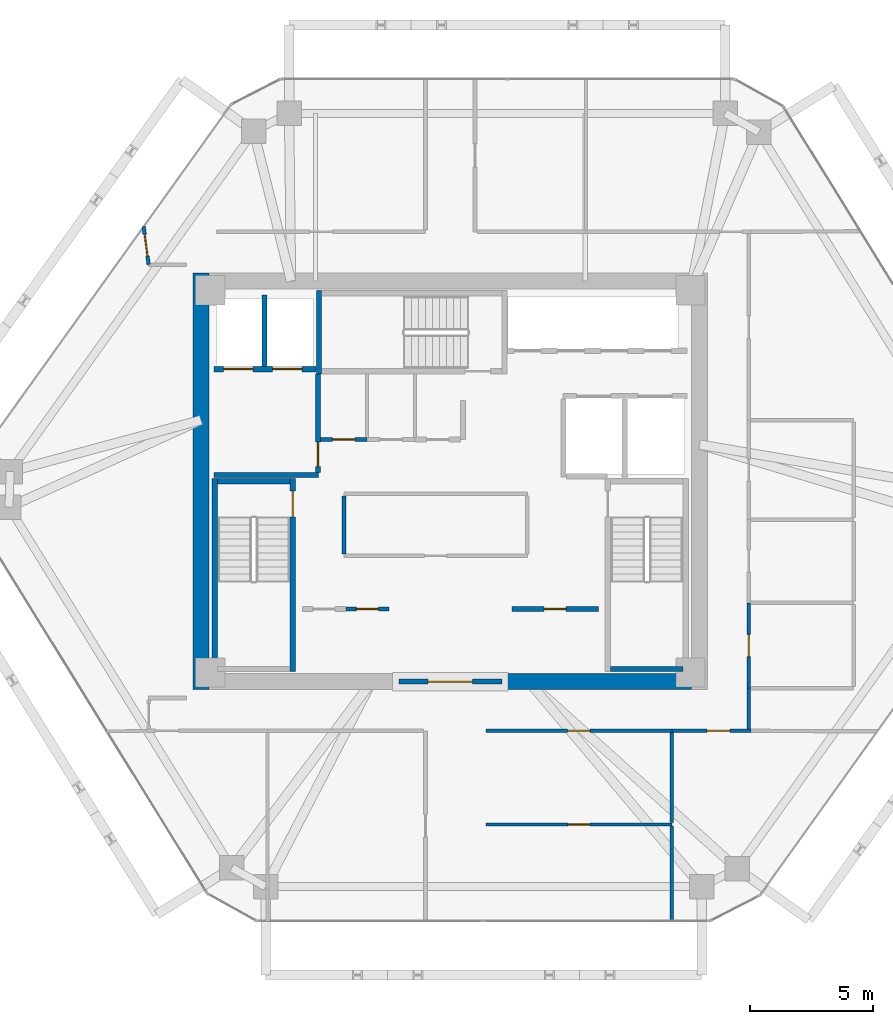
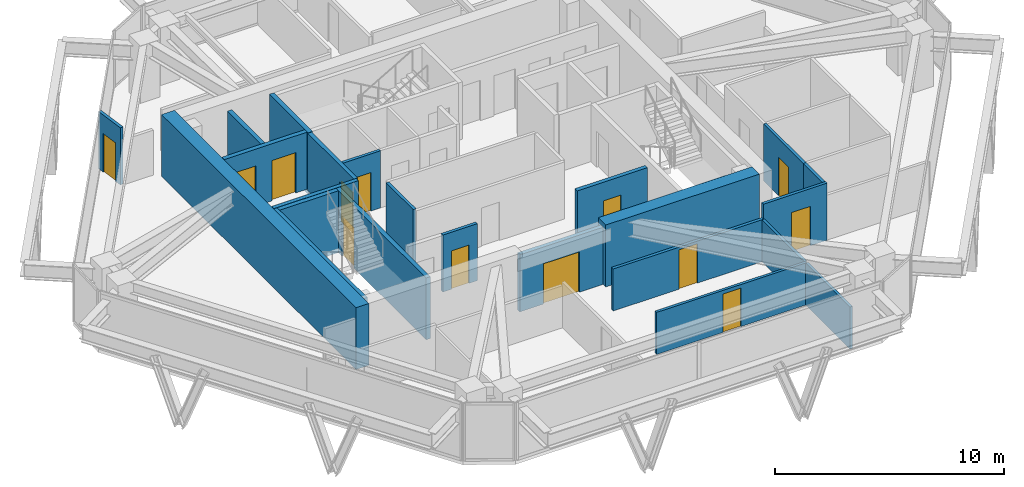
# One storey, part 8 of 11: 24 walls, 13 doors, 13 openings.
"""IFC4 building model written with IfcOpenShell, lengths in metres."""

import ifcopenshell
import ifcopenshell.guid

model = None  # the IFC model being written
_history = None  # IfcOwnerHistory: only IFC2X3 demands one
_inside = {}  # id of a spatial element -> (the spatial element, [elements in it])
_under = {}  # id of a project, library or spatial element -> (it, [spatial elements below it])
_declared = {}  # id of a project -> (the project, [libraries it declares])
_typed = {}  # id of a type object -> (the type object, [elements of that type])
_made_of = {}  # id of a material, layer set ... -> (it, [elements and type objects made of it])


def new_model(schema):
    """Start an empty IFC model of exactly this schema.

    Asked for "IFC4X3", IfcOpenShell would pick the latest addendum, in which some entities
    have other attributes; the version numbers below select the first issue.
    IFC2X3 requires an IfcOwnerHistory on every rooted entity: one is made here for all.
    """
    global model, _history
    if schema == "IFC4X3":
        model = ifcopenshell.file(schema_version=(4, 3, 0, 0))
    else:
        model = ifcopenshell.file(schema=schema)
    _inside.clear()
    _under.clear()
    _declared.clear()
    _typed.clear()
    _made_of.clear()
    _history = None
    if model.schema == "IFC2X3":
        org = make("IfcOrganization", Name="unknown")
        user = make(
            "IfcPersonAndOrganization",
            ThePerson=make("IfcPerson", FamilyName="unknown"),
            TheOrganization=org,
        )
        app = make(
            "IfcApplication",
            ApplicationDeveloper=org,
            Version="unknown",
            ApplicationFullName="unknown",
            ApplicationIdentifier="unknown",
        )
        _history = make(
            "IfcOwnerHistory",
            OwningUser=user,
            OwningApplication=app,
            ChangeAction="ADDED",
            CreationDate=0,
        )
    return model


def make(cls, **values):
    """One entity of the class cls with the attributes given. An attribute that is None is left unset."""
    return model.create_entity(
        cls, **{name: value for name, value in values.items() if value is not None}
    )


def rooted(cls, **values):
    """An entity with a GlobalId (a new one), such as an element, a storey or a relation."""
    return make(cls, GlobalId=ifcopenshell.guid.new(), OwnerHistory=_history, **values)


def si_unit(unit_type, name, prefix=None):
    """IfcSIUnit, for example si_unit("LENGTHUNIT", "METRE", prefix="MILLI")."""
    return make("IfcSIUnit", UnitType=unit_type, Prefix=prefix, Name=name)


def assignment(units):
    """IfcUnitAssignment: the units of a project."""
    return None if units is None else make("IfcUnitAssignment", Units=units)


def point(xyz):
    """IfcCartesianPoint."""
    return None if xyz is None else make("IfcCartesianPoint", Coordinates=xyz)


def direction(xyz):
    """IfcDirection."""
    return None if xyz is None else make("IfcDirection", DirectionRatios=xyz)


def frame(location, z_axis=None, x_axis=None):
    """IfcAxis2Placement3D, a coordinate frame: its origin and axes. An axis left out is left unset."""
    return make(
        "IfcAxis2Placement3D",
        Location=point(location),
        Axis=direction(z_axis),
        RefDirection=direction(x_axis),
    )


def frame_2d(location, x_axis=None):
    """IfcAxis2Placement2D, a coordinate frame in the plane: its origin and x axis."""
    return make(
        "IfcAxis2Placement2D", Location=point(location), RefDirection=direction(x_axis)
    )


def origin():
    """The frame at (0, 0, 0) with its axes left unset."""
    return frame((0.0, 0.0, 0.0))


def place(relative_to, where):
    """IfcLocalPlacement: puts the frame where relative to a parent placement (None: the world)."""
    return make(
        "IfcLocalPlacement", PlacementRelTo=relative_to, RelativePlacement=where
    )


def context(
    kind, dimensions, precision=None, world=None, true_north=None, identifier=None
):
    """IfcGeometricRepresentationContext, for example the 3D "Model" context."""
    return make(
        "IfcGeometricRepresentationContext",
        ContextIdentifier=identifier,
        ContextType=kind,
        CoordinateSpaceDimension=dimensions,
        Precision=precision,
        WorldCoordinateSystem=world,
        TrueNorth=true_north,
    )


def subcontext(parent, identifier, kind, view, scale=None):
    """IfcGeometricRepresentationSubContext, for example "Body" below "Model"."""
    return make(
        "IfcGeometricRepresentationSubContext",
        ContextIdentifier=identifier,
        ContextType=kind,
        ParentContext=parent,
        TargetScale=scale,
        TargetView=view,
    )


def project(units=None, contexts=None):
    """IfcProject with its units and contexts."""
    return rooted(
        "IfcProject",
        Name="project",
        RepresentationContexts=contexts,
        UnitsInContext=assignment(units),
    )


def spatial(cls, under=None, at=None, **own):
    """A site, building, storey or space (cls), placed at a placement, below another one or the project."""
    s = rooted(cls, ObjectPlacement=at, **own)
    if under is not None:
        _under.setdefault(under.id(), (under, []))[1].append(s)
    return s


def profile(cls, at=None, kind="AREA", **sizes):
    """A parametric profile (cls). Its sizes go by their IFC names, for example OverallWidth=200.0."""
    return make(cls, ProfileType=kind, Position=at, **sizes)


def rectangle(**sizes):
    """IfcRectangleProfileDef."""
    return profile("IfcRectangleProfileDef", **sizes)


def extrude(swept, where, along, depth):
    """IfcExtrudedAreaSolid: the profile swept, set in the frame where, extruded along a direction by depth."""
    return make(
        "IfcExtrudedAreaSolid",
        SweptArea=swept,
        Position=where,
        ExtrudedDirection=direction(along),
        Depth=depth,
    )


def shape(context_of_items, identifier, shape_type, items):
    """IfcShapeRepresentation: the items that make up one representation, for example the "Body"."""
    return make(
        "IfcShapeRepresentation",
        ContextOfItems=context_of_items,
        RepresentationIdentifier=identifier,
        RepresentationType=shape_type,
        Items=items,
    )


def source(mapping_origin, context_of_items, identifier, shape_type, items):
    """IfcRepresentationMap: a shape defined once, which mapped items show again and again."""
    return make(
        "IfcRepresentationMap",
        MappingOrigin=mapping_origin,
        MappedRepresentation=shape(context_of_items, identifier, shape_type, items),
    )


def transform(
    local_origin,
    x_axis=None,
    y_axis=None,
    z_axis=None,
    scale=None,
    scale2=None,
    scale3=None,
    uniform=True,
):
    """IfcCartesianTransformationOperator3D, or its non-uniform kind. x_axis, y_axis, z_axis: its Axis1, 2, 3."""
    if uniform:
        return make(
            "IfcCartesianTransformationOperator3D",
            Axis1=direction(x_axis),
            Axis2=direction(y_axis),
            LocalOrigin=point(local_origin),
            Scale=scale,
            Axis3=direction(z_axis),
        )
    return make(
        "IfcCartesianTransformationOperator3DnonUniform",
        Axis1=direction(x_axis),
        Axis2=direction(y_axis),
        LocalOrigin=point(local_origin),
        Scale=scale,
        Axis3=direction(z_axis),
        Scale2=scale2,
        Scale3=scale3,
    )


def mapped(mapping_source, mapping_target):
    """IfcMappedItem: shows the shape of a source again, moved by a transform."""
    return make(
        "IfcMappedItem", MappingSource=mapping_source, MappingTarget=mapping_target
    )


def material(Name=None, Category=None):
    """IfcMaterial."""
    return make("IfcMaterial", Name=Name, Category=Category)


def layer(
    of_material, thickness, ventilated=None, Name=None, Category=None, Priority=None
):
    """IfcMaterialLayer: one layer of a wall or slab, of a material (None: an air gap)."""
    return make(
        "IfcMaterialLayer",
        Material=of_material,
        LayerThickness=thickness,
        IsVentilated=ventilated,
        Name=Name,
        Category=Category,
        Priority=Priority,
    )


def layer_set(layers, Name=None):
    """IfcMaterialLayerSet."""
    return make("IfcMaterialLayerSet", MaterialLayers=layers, LayerSetName=Name)


def made_of(thing, what):
    """Note that an element or type object is made of a material, layer set ...; save() writes the relation."""
    if what is not None:
        _made_of.setdefault(what.id(), (what, []))[1].append(thing)
    return thing


def type_object(cls, material=None, **own):
    """A type object (cls), such as IfcWallType, which elements share."""
    return made_of(rooted(cls, **own), material)


def type_shapes(of_type, sources):
    """Give a type object the sources (RepresentationMaps) that its elements show as mapped items."""
    of_type.RepresentationMaps = sources


def element(
    cls,
    number,
    at=None,
    inside=None,
    cuts=None,
    type_object=None,
    material=None,
    context=None,
    identifier="Body",
    shape_type=None,
    held_by="IfcProductDefinitionShape",
    body=None,
    shapes=None,
    **own,
):
    """One element of the class cls, such as IfcWall. Its Tag is "e" and its number.

    at: its placement. inside: the storey or other place that contains it. cuts: it is an
    opening in that element (IfcRelVoidsElement). A single representation is given by context,
    identifier, shape_type and body (its items); several are given by shapes. held_by: the class
    of the entity that holds the representations. save() writes the other relations.
    """
    e = rooted(cls, Tag="e%d" % number, ObjectPlacement=at, **own)
    if body is not None:
        shapes = [shape(context, identifier, shape_type, body)]
    if shapes is not None:
        e.Representation = make(held_by, Representations=shapes)
    if inside is not None:
        _inside.setdefault(inside.id(), (inside, []))[1].append(e)
    if cuts is not None:
        rooted(
            "IfcRelVoidsElement", RelatingBuildingElement=cuts, RelatedOpeningElement=e
        )
    if type_object is not None:
        _typed.setdefault(type_object.id(), (type_object, []))[1].append(e)
    return made_of(e, material)


def fill(opening, filler):
    """IfcRelFillsElement: the door or window that sits in an opening."""
    return rooted(
        "IfcRelFillsElement",
        RelatingOpeningElement=opening,
        RelatedBuildingElement=filler,
    )


def aggregate(whole, parts):
    """IfcRelAggregates: a whole, such as a stair, and the parts it consists of."""
    return rooted("IfcRelAggregates", RelatingObject=whole, RelatedObjects=parts)


def save(model, path):
    """Write the relations noted so far, then the file.

    IfcRelAggregates (storeys below a building ...), IfcRelContainedInSpatialStructure (elements
    in a storey), IfcRelDefinesByType, IfcRelAssociatesMaterial and IfcRelDeclares: one each for
    every whole, place, type object, material and project.
    """
    for whole, parts in _under.values():
        aggregate(whole, parts)
    for where, things in _inside.values():
        rooted(
            "IfcRelContainedInSpatialStructure",
            RelatedElements=things,
            RelatingStructure=where,
        )
    for kind, things in _typed.values():
        rooted("IfcRelDefinesByType", RelatedObjects=things, RelatingType=kind)
    for what, things in _made_of.values():
        rooted("IfcRelAssociatesMaterial", RelatedObjects=things, RelatingMaterial=what)
    for by, libraries in _declared.values():
        rooted("IfcRelDeclares", RelatingContext=by, RelatedDefinitions=libraries)
    model.write(path)


model = new_model("IFC4")

# Units and contexts
model_context = context("Model", 3, precision=1e-05, world=origin(), true_north=direction((0.0, 1.0)))
body_context = subcontext(model_context, "Body", "Model", "MODEL_VIEW")
ifc_project = project(units=[si_unit("LENGTHUNIT", "METRE"), si_unit("AREAUNIT", "SQUARE_METRE"), si_unit("VOLUMEUNIT", "CUBIC_METRE"), si_unit("PLANEANGLEUNIT", "RADIAN"), si_unit("MASSUNIT", "GRAM", prefix="KILO")], contexts=[model_context])

# Site, building, storey
site_placement = place(None, origin())
site = spatial("IfcSite", under=ifc_project, at=site_placement, CompositionType="ELEMENT")
building_placement = place(site_placement, origin())
building = spatial("IfcBuilding", under=site, at=building_placement, Name="Durnholm Broadcast Tower", CompositionType="ELEMENT")
storey_placement = place(building_placement, frame((0.0, 0.0, 190.300048828125)))
storey = spatial("IfcBuildingStorey", under=building, at=storey_placement, Name="L52", CompositionType="ELEMENT", Elevation=190.300048828125)

# Walls
ifc_material_1 = material(Name="Concrete C70/85", Category="concrete")
ifc_layer_1 = layer(ifc_material_1, 0.64990234375)
ifc_layer_set_1 = layer_set([ifc_layer_1], Name="Concrete C70/85")
wall_type_1 = type_object("IfcWallType", Name="WALL-CW-650", PredefinedType="SHEAR", material=ifc_layer_set_1)
wall_1_placement = place(storey_placement, frame((-10.175048828125, -8.5, 0.0), z_axis=(0.0, 0.0, 1.0), x_axis=(0.0, 1.0, 0.0)))
element("IfcWall", 1, at=wall_1_placement, inside=storey, type_object=wall_type_1, Name="L52 central core shear wall CW-WEST", PredefinedType="SHEAR", context=body_context, shape_type="SweptSolid", body=[
    extrude(rectangle(XDim=17.0, YDim=0.64990234375, at=frame_2d((8.5, 0.0))), origin(), (0.0, 0.0, 1.0), 3.300048828125),
])
wall_2_placement = place(storey_placement, frame((2.10009765625, -8.175048828125, 0.0), z_axis=(0.0, 0.0, 1.0), x_axis=(1.0, 0.0, 0.0)))
element("IfcWall", 2, at=wall_2_placement, inside=storey, type_object=wall_type_1, Name="L52 central core shear wall CW-S2", PredefinedType="SHEAR", context=body_context, shape_type="SweptSolid", body=[
    extrude(rectangle(XDim=7.75, YDim=0.64990234375, at=frame_2d((3.875, 0.0))), origin(), (0.0, 0.0, 1.0), 3.300048828125),
])

# Wall, opening, door
ifc_material_2 = material(Name="Fire-Rated Gypsum Shaftwall", Category="concrete")
ifc_layer_2 = layer(ifc_material_2, 0.199951171875)
ifc_layer_set_2 = layer_set([ifc_layer_2], Name="Fire-Rated Gypsum Shaftwall")
wall_type_2 = type_object("IfcWallType", Name="WALL-LOB-200", PredefinedType="SOLIDWALL", material=ifc_layer_set_2)
wall_3_placement = place(storey_placement, frame((-2.10009765625, -8.175048828125, 0.0), z_axis=(0.0, 0.0, 1.0), x_axis=(1.0, 0.0, 0.0)))
wall_3 = element("IfcWall", 3, at=wall_3_placement, inside=storey, type_object=wall_type_2, Name="L52 south core lobby fire screen", PredefinedType="SOLIDWALL", context=body_context, shape_type="SweptSolid", body=[
    extrude(rectangle(XDim=4.2001953125, YDim=0.199951171875, at=frame_2d((2.10009765625, 0.0))), origin(), (0.0, 0.0, 1.0), 3.044921875),
])
opening_1_placement = place(wall_3_placement, frame((1.199951171875, 0.0, 0.0)))
opening_1 = element("IfcOpeningElement", 4, at=opening_1_placement, cuts=wall_3, Name="Opening DP-60", PredefinedType="OPENING", context=body_context, shape_type="SweptSolid", body=[
    extrude(rectangle(XDim=1.800048828125, YDim=2.14990234375, at=frame_2d((0.89990234375, 1.074951171875))), frame((0.0, 0.10986328125, 0.0), z_axis=(0.0, -1.0, 0.0), x_axis=(1.0, 0.0, 0.0)), (0.0, 0.0, 1.0), 0.219970703125),
])
ifc_material_3 = material(Name="Fire-Rated Double Corridor Door", Category="steel")
ifc_layer_3 = layer(ifc_material_3, 0.050048828125)
ifc_layer_set_3 = layer_set([ifc_layer_3], Name="Fire-Rated Double Corridor Door")
door_type_1 = type_object("IfcDoorType", Name="DOOR-PAIR-FD60", OperationType="DOUBLE_DOOR_SINGLE_SWING", PredefinedType="DOOR", material=ifc_layer_set_3)
shared_shape_1 = source(origin(), body_context, "Body", "SweptSolid", [
    extrude(rectangle(XDim=1.800048828125, YDim=2.14990234375, at=frame_2d((0.89990234375, 1.074951171875))), frame((0.0, 0.02490234375, 0.0), z_axis=(0.0, -1.0, 0.0), x_axis=(1.0, 0.0, 0.0)), (0.0, 0.0, 1.0), 0.050048828125),
])
type_shapes(door_type_1, [shared_shape_1])
door_1_placement = place(opening_1_placement, origin())
door_1 = element("IfcDoor", 5, at=door_1_placement, inside=storey, type_object=door_type_1, Name="L52 south core lobby double fire door", OperationType="DOUBLE_DOOR_SINGLE_SWING", OverallHeight=2.14990234375, OverallWidth=1.800048828125, PredefinedType="DOOR", context=body_context, shape_type="MappedRepresentation", body=[
    mapped(shared_shape_1, transform((0.0, 0.0, 0.0), x_axis=(1.0, 0.0, 0.0), y_axis=(0.0, 1.0, 0.0), z_axis=(0.0, 0.0, 1.0), scale=1.0)),
])
fill(opening_1, door_1)

# Wall
wall_4_placement = place(storey_placement, frame((-9.64990234375, 0.25, 0.0), z_axis=(0.0, 0.0, 1.0), x_axis=(1.0, 0.0, 0.0)))
element("IfcWall", 6, at=wall_4_placement, inside=storey, type_object=wall_type_2, Name="L52 Fire Service Access Elevator lobby south wall", PredefinedType="SOLIDWALL", context=body_context, shape_type="SweptSolid", body=[
    extrude(rectangle(XDim=4.27001953125, YDim=0.199951171875, at=frame_2d((2.135009765625, 0.0))), origin(), (0.0, 0.0, 1.0), 3.044921875),
])

# Wall, opening, door
wall_5_placement = place(storey_placement, frame((-5.39990234375, 0.35400390625, 0.0), z_axis=(0.0, 0.0, 1.0), x_axis=(0.0, 1.0, 0.0)))
wall_5 = element("IfcWall", 7, at=wall_5_placement, inside=storey, type_object=wall_type_2, Name="L52 Fire Service Access Elevator lobby east fire wall", PredefinedType="SOLIDWALL", context=body_context, shape_type="SweptSolid", body=[
    extrude(rectangle(XDim=4.02587890625, YDim=0.199951171875, at=frame_2d((2.012939453125, 0.0))), origin(), (0.0, 0.0, 1.0), 3.044921875),
])
opening_2_placement = place(wall_5_placement, frame((0.24609375, 0.0, 0.0)))
opening_2 = element("IfcOpeningElement", 8, at=opening_2_placement, cuts=wall_5, Name="Opening DL-60L", PredefinedType="OPENING", context=body_context, shape_type="SweptSolid", body=[
    extrude(rectangle(XDim=1.0, YDim=2.14990234375, at=frame_2d((0.5, 1.074951171875))), frame((0.0, 0.10986328125, 0.0), z_axis=(0.0, -1.0, 0.0), x_axis=(1.0, 0.0, 0.0)), (0.0, 0.0, 1.0), 0.219970703125),
])
ifc_material_4 = material(Name="Fire-Rated Timber/Steel Door", Category="steel")
ifc_layer_4 = layer(ifc_material_4, 0.050048828125)
ifc_layer_set_4 = layer_set([ifc_layer_4], Name="Fire-Rated Timber/Steel Door")
door_type_2 = type_object("IfcDoorType", Name="DOOR-LOB-FD60-L", OperationType="NOTDEFINED", PredefinedType="DOOR", material=ifc_layer_set_4)
shared_shape_2 = source(origin(), body_context, "Body", "SweptSolid", [
    extrude(rectangle(XDim=1.0, YDim=2.14990234375, at=frame_2d((0.5, 1.074951171875))), frame((0.0, 0.02490234375, 0.0), z_axis=(0.0, -1.0, 0.0), x_axis=(1.0, 0.0, 0.0)), (0.0, 0.0, 1.0), 0.050048828125),
])
type_shapes(door_type_2, [shared_shape_2])
door_2_placement = place(opening_2_placement, origin())
door_2 = element("IfcDoor", 9, at=door_2_placement, inside=storey, type_object=door_type_2, Name="L52 Fire Service Access Elevator lobby smoke door", OperationType="SINGLE_SWING_LEFT", OverallHeight=2.14990234375, OverallWidth=1.0, PredefinedType="DOOR", context=body_context, shape_type="MappedRepresentation", body=[
    mapped(shared_shape_2, transform((0.0, 0.0, 0.0), x_axis=(1.0, 0.0, 0.0), y_axis=(0.0, 1.0, 0.0), z_axis=(0.0, 0.0, 1.0), scale=1.0)),
])
fill(opening_2, door_2)

wall_6_placement = place(storey_placement, frame((2.510009765625, -5.2099609375, 0.0), z_axis=(0.0, 0.0, 1.0), x_axis=(1.0, 0.0, 0.0)))
wall_6 = element("IfcWall", 10, at=wall_6_placement, inside=storey, type_object=wall_type_2, Name="L52 Telemetry Control Closet corridor partition", PredefinedType="SOLIDWALL", context=body_context, shape_type="SweptSolid", body=[
    extrude(rectangle(XDim=3.530029296875, YDim=0.199951171875, at=frame_2d((1.76513671875, 0.0))), origin(), (0.0, 0.0, 1.0), 3.044921875),
])
opening_3_placement = place(wall_6_placement, frame((1.31494140625, 0.0, 0.0)))
opening_3 = element("IfcOpeningElement", 11, at=opening_3_placement, cuts=wall_6, Name="Opening DC-60R", PredefinedType="OPENING", context=body_context, shape_type="SweptSolid", body=[
    extrude(rectangle(XDim=0.89990234375, YDim=2.050048828125, at=frame_2d((0.449951171875, 1.02490234375))), frame((0.0, 0.10986328125, 0.0), z_axis=(0.0, -1.0, 0.0), x_axis=(1.0, 0.0, 0.0)), (0.0, 0.0, 1.0), 0.219970703125),
])
ifc_material_5 = material(Name="Fire-Rated Core Service Door", Category="steel")
ifc_layer_5 = layer(ifc_material_5, 0.050048828125)
ifc_layer_set_5 = layer_set([ifc_layer_5], Name="Fire-Rated Core Service Door")
door_type_3 = type_object("IfcDoorType", Name="DOOR-CORE-FD60-R", OperationType="NOTDEFINED", PredefinedType="DOOR", material=ifc_layer_set_5)
shared_shape_3 = source(origin(), body_context, "Body", "SweptSolid", [
    extrude(rectangle(XDim=0.89990234375, YDim=2.050048828125, at=frame_2d((0.449951171875, 1.02490234375))), frame((0.0, 0.02490234375, 0.0), z_axis=(0.0, -1.0, 0.0), x_axis=(1.0, 0.0, 0.0)), (0.0, 0.0, 1.0), 0.050048828125),
])
type_shapes(door_type_3, [shared_shape_3])
door_3_placement = place(opening_3_placement, origin())
door_3 = element("IfcDoor", 12, at=door_3_placement, inside=storey, type_object=door_type_3, Name="L52 Telemetry Control Closet entrance door", OperationType="SINGLE_SWING_RIGHT", OverallHeight=2.050048828125, OverallWidth=0.89990234375, PredefinedType="DOOR", context=body_context, shape_type="MappedRepresentation", body=[
    mapped(shared_shape_3, transform((0.0, 0.0, 0.0), x_axis=(1.0, 0.0, 0.0), y_axis=(0.0, 1.0, 0.0), z_axis=(0.0, 0.0, 1.0), scale=1.0)),
])
fill(opening_3, door_3)

ifc_material_6 = material(Name="Gypsum Metal Stud Partition", Category="concrete")
ifc_layer_6 = layer(ifc_material_6, 0.135009765625)
ifc_layer_set_6 = layer_set([ifc_layer_6], Name="Gypsum Metal Stud Partition")
wall_type_3 = type_object("IfcWallType", Name="WALL-PART-135", PredefinedType="PARTITIONING", material=ifc_layer_set_6)
wall_7_placement = place(storey_placement, frame((1.4599609375, -14.0009765625, 0.0), z_axis=(0.0, 0.0, 1.0), x_axis=(1.0, 0.0, 0.0)))
wall_7 = element("IfcWall", 13, at=wall_7_placement, inside=storey, type_object=wall_type_3, Name="L52 room dividing partition 16.17", PredefinedType="PARTITIONING", context=body_context, shape_type="SweptSolid", body=[
    extrude(rectangle(XDim=7.580078125, YDim=0.135009765625, at=frame_2d((3.7900390625, 0.0))), origin(), (0.0, 0.0, 1.0), 2.24169921875),
])
opening_4_placement = place(wall_7_placement, frame((3.340087890625, 0.0, 0.0)))
opening_4 = element("IfcOpeningElement", 14, at=opening_4_placement, cuts=wall_7, Name="Opening DW-90L", PredefinedType="OPENING", context=body_context, shape_type="SweptSolid", body=[
    extrude(rectangle(XDim=0.89990234375, YDim=2.050048828125, at=frame_2d((0.449951171875, 1.02490234375))), frame((0.0, 0.07763671875, 0.0), z_axis=(0.0, -1.0, 0.0), x_axis=(1.0, 0.0, 0.0)), (0.0, 0.0, 1.0), 0.155029296875),
])
ifc_material_7 = material(Name="Laminate Restroom Door", Category="steel")
ifc_layer_7 = layer(ifc_material_7, 0.050048828125)
ifc_layer_set_7 = layer_set([ifc_layer_7], Name="Laminate Restroom Door")
door_type_4 = type_object("IfcDoorType", Name="DOOR-WC-900L", OperationType="NOTDEFINED", PredefinedType="DOOR", material=ifc_layer_set_7)
shared_shape_4 = source(origin(), body_context, "Body", "SweptSolid", [
    extrude(rectangle(XDim=0.89990234375, YDim=2.050048828125, at=frame_2d((0.449951171875, 1.02490234375))), frame((0.0, 0.02490234375, 0.0), z_axis=(0.0, -1.0, 0.0), x_axis=(1.0, 0.0, 0.0)), (0.0, 0.0, 1.0), 0.050048828125),
])
type_shapes(door_type_4, [shared_shape_4])
door_4_placement = place(opening_4_placement, origin())
door_4 = element("IfcDoor", 15, at=door_4_placement, inside=storey, type_object=door_type_4, Name="L52 Voiceover Studio Office connecting door", OperationType="SINGLE_SWING_LEFT", OverallHeight=2.050048828125, OverallWidth=0.89990234375, PredefinedType="DOOR", context=body_context, shape_type="MappedRepresentation", body=[
    mapped(shared_shape_4, transform((0.0, 0.0, 0.0), x_axis=(1.0, 0.0, 0.0), y_axis=(0.0, 1.0, 0.0), z_axis=(0.0, 0.0, 1.0), scale=1.0)),
])
fill(opening_4, door_4)

# Walls
wall_8_placement = place(storey_placement, frame((9.0400390625, -14.072509765625, 0.0), z_axis=(0.0, 0.0, 1.0), x_axis=(0.0, -1.0, 0.0)))
element("IfcWall", 16, at=wall_8_placement, inside=storey, type_object=wall_type_3, Name="L52 room dividing partition 16.18", PredefinedType="PARTITIONING", context=body_context, shape_type="SweptSolid", body=[
    extrude(rectangle(XDim=3.869384765625, YDim=0.135009765625, at=frame_2d((1.9345703125, 0.0))), origin(), (0.0, 0.0, 1.0), 2.24169921875),
])
wall_9_placement = place(storey_placement, frame((9.0400390625, -10.259033203125, 0.0), z_axis=(0.0, 0.0, 1.0), x_axis=(0.0, -1.0, 0.0)))
element("IfcWall", 17, at=wall_9_placement, inside=storey, type_object=wall_type_3, Name="L52 room dividing partition 17.18", PredefinedType="PARTITIONING", context=body_context, shape_type="SweptSolid", body=[
    extrude(rectangle(XDim=3.67041015625, YDim=0.135009765625, at=frame_2d((1.835205078125, 0.0))), origin(), (0.0, 0.0, 1.0), 2.24169921875),
])

# Wall, opening, door
ifc_material_8 = material(Name="Acoustic Gypsum Stud Partition", Category="concrete")
ifc_layer_8 = layer(ifc_material_8, 0.14990234375)
ifc_layer_set_8 = layer_set([ifc_layer_8], Name="Acoustic Gypsum Stud Partition")
wall_type_4 = type_object("IfcWallType", Name="WALL-PART-150", PredefinedType="PARTITIONING", material=ifc_layer_set_8)
wall_10_placement = place(storey_placement, frame((-4.260009765625, -5.2099609375, 0.0), z_axis=(0.0, 0.0, 1.0), x_axis=(1.0, 0.0, 0.0)))
wall_10 = element("IfcWall", 18, at=wall_10_placement, inside=storey, type_object=wall_type_4, Name="L52 Copy and Print Room corridor partition", PredefinedType="PARTITIONING", context=body_context, shape_type="SweptSolid", body=[
    extrude(rectangle(XDim=1.75, YDim=0.14990234375, at=frame_2d((0.875, 0.0))), origin(), (0.0, 0.0, 1.0), 3.044921875),
])
opening_5_placement = place(wall_10_placement, frame((0.425048828125, 0.0, 0.0)))
opening_5 = element("IfcOpeningElement", 19, at=opening_5_placement, cuts=wall_10, Name="Opening DC-60L", PredefinedType="OPENING", context=body_context, shape_type="SweptSolid", body=[
    extrude(rectangle(XDim=0.89990234375, YDim=2.050048828125, at=frame_2d((0.449951171875, 1.02490234375))), frame((0.0, 0.0849609375, 0.0), z_axis=(0.0, -1.0, 0.0), x_axis=(1.0, 0.0, 0.0)), (0.0, 0.0, 1.0), 0.169921875),
])
ifc_layer_9 = layer(ifc_material_5, 0.050048828125)
ifc_layer_set_9 = layer_set([ifc_layer_9], Name="Fire-Rated Core Service Door")
door_type_5 = type_object("IfcDoorType", Name="DOOR-CORE-FD60-L", OperationType="NOTDEFINED", PredefinedType="DOOR", material=ifc_layer_set_9)
shared_shape_5 = source(origin(), body_context, "Body", "SweptSolid", [
    extrude(rectangle(XDim=0.89990234375, YDim=2.050048828125, at=frame_2d((0.449951171875, 1.02490234375))), frame((0.0, 0.02490234375, 0.0), z_axis=(0.0, -1.0, 0.0), x_axis=(1.0, 0.0, 0.0)), (0.0, 0.0, 1.0), 0.050048828125),
])
type_shapes(door_type_5, [shared_shape_5])
door_5_placement = place(opening_5_placement, origin())
door_5 = element("IfcDoor", 20, at=door_5_placement, inside=storey, type_object=door_type_5, Name="L52 Copy and Print Room entrance door", OperationType="SINGLE_SWING_LEFT", OverallHeight=2.050048828125, OverallWidth=0.89990234375, PredefinedType="DOOR", context=body_context, shape_type="MappedRepresentation", body=[
    mapped(shared_shape_5, transform((0.0, 0.0, 0.0), x_axis=(1.0, 0.0, 0.0), y_axis=(0.0, 1.0, 0.0), z_axis=(0.0, 0.0, 1.0), scale=1.0)),
])
fill(opening_5, door_5)

# Wall
wall_11_placement = place(storey_placement, frame((-4.340087890625, -2.9609375, 0.0), z_axis=(0.0, 0.0, 1.0), x_axis=(0.0, 1.0, 0.0)))
element("IfcWall", 21, at=wall_11_placement, inside=storey, type_object=wall_type_4, Name="L52 Broadcast Equipment Pantry corridor partition", PredefinedType="PARTITIONING", context=body_context, shape_type="SweptSolid", body=[
    extrude(rectangle(XDim=2.371826171875, YDim=0.14990234375, at=frame_2d((1.18603515625, 0.0))), origin(), (0.0, 0.0, 1.0), 3.044921875),
])

# Wall, opening, door
wall_12_placement = place(storey_placement, frame((-3.39990234375, 1.7099609375, 0.0), z_axis=(0.0, 0.0, 1.0), x_axis=(-1.0, 0.0, 0.0)))
wall_12 = element("IfcWall", 22, at=wall_12_placement, inside=storey, type_object=wall_type_4, Name="L52 Core Copy and Print Closet corridor partition", PredefinedType="PARTITIONING", context=body_context, shape_type="SweptSolid", body=[
    extrude(rectangle(XDim=1.89599609375, YDim=0.14990234375, at=frame_2d((0.947998046875, 0.0))), origin(), (0.0, 0.0, 1.0), 3.044921875),
])
opening_6_placement = place(wall_12_placement, frame((0.498046875, 0.0, 0.0)))
opening_6 = element("IfcOpeningElement", 23, at=opening_6_placement, cuts=wall_12, Name="Opening DC-60R", PredefinedType="OPENING", context=body_context, shape_type="SweptSolid", body=[
    extrude(rectangle(XDim=0.89990234375, YDim=2.050048828125, at=frame_2d((0.449951171875, 1.02490234375))), frame((0.0, 0.0849609375, 0.0), z_axis=(0.0, -1.0, 0.0), x_axis=(1.0, 0.0, 0.0)), (0.0, 0.0, 1.0), 0.169921875),
])
door_6_placement = place(opening_6_placement, origin())
door_6 = element("IfcDoor", 24, at=door_6_placement, inside=storey, type_object=door_type_3, Name="L52 Core Copy and Print Closet entrance door", OperationType="SINGLE_SWING_RIGHT", OverallHeight=2.050048828125, OverallWidth=0.89990234375, PredefinedType="DOOR", context=body_context, shape_type="MappedRepresentation", body=[
    mapped(shared_shape_3, transform((0.0, 0.0, 0.0), x_axis=(1.0, 0.0, 0.0), y_axis=(0.0, 1.0, 0.0), z_axis=(0.0, 0.0, 1.0), scale=1.0)),
])
fill(opening_6, door_6)

wall_13_placement = place(storey_placement, frame((1.4599609375, -10.179931640625, 0.0), z_axis=(0.0, 0.0, 1.0), x_axis=(1.0, 0.0, 0.0)))
wall_13 = element("IfcWall", 25, at=wall_13_placement, inside=storey, type_object=wall_type_4, Name="L52 Print Design Office corridor partition", PredefinedType="PARTITIONING", context=body_context, shape_type="SweptSolid", body=[
    extrude(rectangle(XDim=7.580078125, YDim=0.14990234375, at=frame_2d((3.7900390625, 0.0))), origin(), (0.0, 0.0, 1.0), 2.24169921875),
])
opening_7_placement = place(wall_13_placement, frame((3.330078125, 0.0, 0.0)))
opening_7 = element("IfcOpeningElement", 26, at=opening_7_placement, cuts=wall_13, Name="Opening DR-92L", PredefinedType="OPENING", context=body_context, shape_type="SweptSolid", body=[
    extrude(rectangle(XDim=0.919921875, YDim=2.10009765625, at=frame_2d((0.4599609375, 1.050048828125))), frame((0.0, 0.0849609375, 0.0), z_axis=(0.0, -1.0, 0.0), x_axis=(1.0, 0.0, 0.0)), (0.0, 0.0, 1.0), 0.169921875),
])
ifc_material_9 = material(Name="Oak Veneer Office Door", Category="wood")
ifc_layer_10 = layer(ifc_material_9, 0.050048828125)
ifc_layer_set_10 = layer_set([ifc_layer_10], Name="Oak Veneer Office Door")
door_type_6 = type_object("IfcDoorType", Name="DOOR-RM-920L", OperationType="NOTDEFINED", PredefinedType="DOOR", material=ifc_layer_set_10)
shared_shape_6 = source(origin(), body_context, "Body", "SweptSolid", [
    extrude(rectangle(XDim=0.919921875, YDim=2.10009765625, at=frame_2d((0.4599609375, 1.050048828125))), frame((0.0, 0.02490234375, 0.0), z_axis=(0.0, -1.0, 0.0), x_axis=(1.0, 0.0, 0.0)), (0.0, 0.0, 1.0), 0.050048828125),
])
type_shapes(door_type_6, [shared_shape_6])
door_7_placement = place(opening_7_placement, origin())
door_7 = element("IfcDoor", 27, at=door_7_placement, inside=storey, type_object=door_type_6, Name="L52 Print Design Office entrance door", OperationType="SINGLE_SWING_LEFT", OverallHeight=2.10009765625, OverallWidth=0.919921875, PredefinedType="DOOR", context=body_context, shape_type="MappedRepresentation", body=[
    mapped(shared_shape_6, transform((0.0, 0.0, 0.0), x_axis=(1.0, 0.0, 0.0), y_axis=(0.0, 1.0, 0.0), z_axis=(0.0, 0.0, 1.0), scale=1.0)),
])
fill(opening_7, door_7)

wall_14_placement = place(storey_placement, frame((9.0400390625, -10.179931640625, 0.0), z_axis=(0.0, 0.0, 1.0), x_axis=(1.0, 0.0, 0.0)))
wall_14 = element("IfcWall", 28, at=wall_14_placement, inside=storey, type_object=wall_type_4, Name="L52 Open Plan Broadcast Workspace 3 corridor partition", PredefinedType="PARTITIONING", context=body_context, shape_type="SweptSolid", body=[
    extrude(rectangle(XDim=3.219970703125, YDim=0.14990234375, at=frame_2d((1.60986328125, 0.0))), origin(), (0.0, 0.0, 1.0), 3.044921875),
])
opening_8_placement = place(wall_14_placement, frame((1.429931640625, 0.0, 0.0)))
opening_8 = element("IfcOpeningElement", 29, at=opening_8_placement, cuts=wall_14, Name="Opening DR-95R", PredefinedType="OPENING", context=body_context, shape_type="SweptSolid", body=[
    extrude(rectangle(XDim=0.949951171875, YDim=2.10009765625, at=frame_2d((0.47509765625, 1.050048828125))), frame((0.0, 0.0849609375, 0.0), z_axis=(0.0, -1.0, 0.0), x_axis=(1.0, 0.0, 0.0)), (0.0, 0.0, 1.0), 0.169921875),
])
ifc_material_10 = material(Name="Acoustic Oak Veneer Timber Door", Category="wood")
ifc_layer_11 = layer(ifc_material_10, 0.050048828125)
ifc_layer_set_11 = layer_set([ifc_layer_11], Name="Acoustic Oak Veneer Timber Door")
door_type_7 = type_object("IfcDoorType", Name="DOOR-RM-950R", OperationType="NOTDEFINED", PredefinedType="DOOR", material=ifc_layer_set_11)
shared_shape_7 = source(origin(), body_context, "Body", "SweptSolid", [
    extrude(rectangle(XDim=0.949951171875, YDim=2.10009765625, at=frame_2d((0.47509765625, 1.050048828125))), frame((0.0, 0.02490234375, 0.0), z_axis=(0.0, -1.0, 0.0), x_axis=(1.0, 0.0, 0.0)), (0.0, 0.0, 1.0), 0.050048828125),
])
type_shapes(door_type_7, [shared_shape_7])
door_8_placement = place(opening_8_placement, origin())
door_8 = element("IfcDoor", 30, at=door_8_placement, inside=storey, type_object=door_type_7, Name="L52 Open Plan Broadcast Workspace 3 entrance door", OperationType="SINGLE_SWING_RIGHT", OverallHeight=2.10009765625, OverallWidth=0.949951171875, PredefinedType="DOOR", context=body_context, shape_type="MappedRepresentation", body=[
    mapped(shared_shape_7, transform((0.0, 0.0, 0.0), x_axis=(1.0, 0.0, 0.0), y_axis=(0.0, 1.0, 0.0), z_axis=(0.0, 0.0, 1.0), scale=1.0)),
])
fill(opening_8, door_8)

wall_15_placement = place(storey_placement, frame((-12.514404296875, 10.40625, 0.0), z_axis=(0.0, 0.0, 1.0), x_axis=(0.129378833178, -0.991595238757, 0.0)))
wall_15 = element("IfcWall", 31, at=wall_15_placement, inside=storey, type_object=wall_type_4, Name="L52 Typography Meeting Room 1 corridor partition", PredefinedType="PARTITIONING", context=body_context, shape_type="SweptSolid", body=[
    extrude(rectangle(XDim=1.579345703125, YDim=0.14990234375, at=frame_2d((0.78955078125, 0.0))), origin(), (0.0, 0.0, 1.0), 3.044921875),
])
opening_9_placement = place(wall_15_placement, frame((0.33984375, 0.0, 0.0)))
opening_9 = element("IfcOpeningElement", 32, at=opening_9_placement, cuts=wall_15, Name="Opening DW-90L", PredefinedType="OPENING", context=body_context, shape_type="SweptSolid", body=[
    extrude(rectangle(XDim=0.89990234375, YDim=2.050048828125, at=frame_2d((0.449951171875, 1.02490234375))), frame((0.0, 0.0849609375, 0.0), z_axis=(0.0, -1.0, 0.0), x_axis=(1.0, 0.0, 0.0)), (0.0, 0.0, 1.0), 0.169921875),
])
door_9_placement = place(opening_9_placement, origin())
door_9 = element("IfcDoor", 33, at=door_9_placement, inside=storey, type_object=door_type_4, Name="L52 Typography Meeting Room 1 entrance door", OperationType="SINGLE_SWING_LEFT", OverallHeight=2.050048828125, OverallWidth=0.89990234375, PredefinedType="DOOR", context=body_context, shape_type="MappedRepresentation", body=[
    mapped(shared_shape_4, transform((0.0, 0.0, 0.0), x_axis=(1.0, 0.0, 0.0), y_axis=(0.0, 1.0, 0.0), z_axis=(0.0, 0.0, 1.0), scale=1.0)),
])
fill(opening_9, door_9)

# Wall
wall_16_placement = place(storey_placement, frame((12.179931640625, -10.10107421875, 0.0), z_axis=(0.0, 0.0, 1.0), x_axis=(0.0, 1.0, 0.0)))
element("IfcWall", 34, at=wall_16_placement, inside=storey, type_object=wall_type_4, Name="L52 Typography Meeting Room 2 corridor partition", PredefinedType="PARTITIONING", context=body_context, shape_type="SweptSolid", body=[
    extrude(rectangle(XDim=1.6611328125, YDim=0.14990234375, at=frame_2d((0.83056640625, 0.0))), origin(), (0.0, 0.0, 1.0), 3.044921875),
])

# Wall, openings, doors
ifc_material_11 = material(Name="Concrete Blockwork C30/37", Category="masonry")
ifc_layer_12 = layer(ifc_material_11, 0.219970703125)
ifc_layer_set_12 = layer_set([ifc_layer_12], Name="Concrete Blockwork C30/37")
wall_type_5 = type_object("IfcWallType", Name="WALL-SHAFT-220", PredefinedType="SOLIDWALL", material=ifc_layer_set_12)
wall_17_placement = place(storey_placement, frame((-9.64990234375, 4.580078125, 0.0), z_axis=(0.0, 0.0, 1.0), x_axis=(1.0, 0.0, 0.0)))
wall_17 = element("IfcWall", 35, at=wall_17_placement, inside=storey, type_object=wall_type_5, Name="L52 FSAE hoistway front fire wall", PredefinedType="SOLIDWALL", context=body_context, shape_type="SweptSolid", body=[
    extrude(rectangle(XDim=4.1748046875, YDim=0.219970703125, at=frame_2d((2.08740234375, 0.0))), origin(), (0.0, 0.0, 1.0), 3.044921875),
])
opening_10_placement = place(wall_17_placement, frame((0.39990234375, 0.0, 0.0)))
opening_10 = element("IfcOpeningElement", 36, at=opening_10_placement, cuts=wall_17, Name="Opening LD-FSAE-2", PredefinedType="OPENING", context=body_context, shape_type="SweptSolid", body=[
    extrude(rectangle(XDim=1.199951171875, YDim=2.14990234375, at=frame_2d((0.60009765625, 1.074951171875))), frame((0.0, 0.1201171875, 0.0), z_axis=(0.0, -1.0, 0.0), x_axis=(1.0, 0.0, 0.0)), (0.0, 0.0, 1.0), 0.239990234375),
])
opening_11_placement = place(wall_17_placement, frame((2.39990234375, 0.0, 0.0)))
opening_11 = element("IfcOpeningElement", 37, at=opening_11_placement, cuts=wall_17, Name="Opening LD-FSAE-1", PredefinedType="OPENING", context=body_context, shape_type="SweptSolid", body=[
    extrude(rectangle(XDim=1.199951171875, YDim=2.14990234375, at=frame_2d((0.60009765625, 1.074951171875))), frame((0.0, 0.1201171875, 0.0), z_axis=(0.0, -1.0, 0.0), x_axis=(1.0, 0.0, 0.0)), (0.0, 0.0, 1.0), 0.239990234375),
])
ifc_material_12 = material(Name="Fire Service Access Sliding Landing Door", Category="steel")
ifc_layer_13 = layer(ifc_material_12, 0.050048828125)
ifc_layer_set_13 = layer_set([ifc_layer_13], Name="Fire Service Access Sliding Landing Door")
door_type_8 = type_object("IfcDoorType", Name="DOOR-LIFT-FSAE", OperationType="DOUBLE_DOOR_SLIDING", PredefinedType="DOOR", material=ifc_layer_set_13)
shared_shape_8 = source(origin(), body_context, "Body", "SweptSolid", [
    extrude(rectangle(XDim=1.199951171875, YDim=2.14990234375, at=frame_2d((0.60009765625, 1.074951171875))), frame((0.0, 0.02490234375, 0.0), z_axis=(0.0, -1.0, 0.0), x_axis=(1.0, 0.0, 0.0)), (0.0, 0.0, 1.0), 0.050048828125),
])
type_shapes(door_type_8, [shared_shape_8])
door_10_placement = place(opening_10_placement, origin())
door_10 = element("IfcDoor", 38, at=door_10_placement, inside=storey, type_object=door_type_8, Name="L52 Fire Service Access Elevator FSAE-2 sliding landing door", OperationType="DOUBLE_DOOR_SLIDING", OverallHeight=2.14990234375, OverallWidth=1.199951171875, PredefinedType="DOOR", context=body_context, shape_type="MappedRepresentation", body=[
    mapped(shared_shape_8, transform((0.0, 0.0, 0.0), x_axis=(1.0, 0.0, 0.0), y_axis=(0.0, 1.0, 0.0), z_axis=(0.0, 0.0, 1.0), scale=1.0)),
])
fill(opening_10, door_10)
door_11_placement = place(opening_11_placement, origin())
door_11 = element("IfcDoor", 39, at=door_11_placement, inside=storey, type_object=door_type_8, Name="L52 Fire Service Access Elevator FSAE-1 sliding landing door", OperationType="DOUBLE_DOOR_SLIDING", OverallHeight=2.14990234375, OverallWidth=1.199951171875, PredefinedType="DOOR", context=body_context, shape_type="MappedRepresentation", body=[
    mapped(shared_shape_8, transform((0.0, 0.0, 0.0), x_axis=(1.0, 0.0, 0.0), y_axis=(0.0, 1.0, 0.0), z_axis=(0.0, 0.0, 1.0), scale=1.0)),
])
fill(opening_11, door_11)

# Wall
wall_18_placement = place(storey_placement, frame((-7.580078125, 4.694091796875, 0.0), z_axis=(0.0, 0.0, 1.0), x_axis=(0.0, 1.0, 0.0)))
element("IfcWall", 40, at=wall_18_placement, inside=storey, type_object=wall_type_5, Name="L52 FSAE shaft divider wall", PredefinedType="SOLIDWALL", context=body_context, shape_type="SweptSolid", body=[
    extrude(rectangle(XDim=2.906005859375, YDim=0.219970703125, at=frame_2d((1.453125, 0.0))), origin(), (0.0, 0.0, 1.0), 3.044921875),
])

# Wall, opening, door
ifc_material_13 = material(Name="Concrete C50/60", Category="concrete")
ifc_layer_14 = layer(ifc_material_13, 0.219970703125)
ifc_layer_set_14 = layer_set([ifc_layer_14], Name="Concrete C50/60")
wall_type_6 = type_object("IfcWallType", Name="WALL-SW-220", PredefinedType="SHEAR", material=ifc_layer_set_14)
wall_19_placement = place(storey_placement, frame((-6.429931640625, -7.77001953125, -0.239990234375), z_axis=(0.0, 0.0, 1.0), x_axis=(0.0, 1.0, 0.0)))
wall_19 = element("IfcWall", 41, at=wall_19_placement, inside=storey, type_object=wall_type_6, Name="L52 stair ST-1 structural shaft wall E", PredefinedType="SHEAR", context=body_context, shape_type="SweptSolid", body=[
    extrude(rectangle(XDim=7.89013671875, YDim=0.219970703125, at=frame_2d((3.945068359375, 0.0))), origin(), (0.0, 0.0, 1.0), 3.300048828125),
])
opening_12_placement = place(wall_19_placement, frame((6.320068359375, 0.0, 0.0)))
opening_12 = element("IfcOpeningElement", 42, at=opening_12_placement, cuts=wall_19, Name="Opening DS-90L", PredefinedType="OPENING", context=body_context, shape_type="SweptSolid", body=[
    extrude(rectangle(XDim=1.050048828125, YDim=2.14990234375, at=frame_2d((0.52490234375, 1.074951171875))), frame((0.0, 0.1201171875, 0.0), z_axis=(0.0, -1.0, 0.0), x_axis=(1.0, 0.0, 0.0)), (0.0, 0.0, 1.0), 0.239990234375),
])
ifc_material_14 = material(Name="Fire-Rated Steel Door", Category="steel")
ifc_layer_15 = layer(ifc_material_14, 0.050048828125)
ifc_layer_set_15 = layer_set([ifc_layer_15], Name="Fire-Rated Steel Door")
door_type_9 = type_object("IfcDoorType", Name="DOOR-ST-FD90-L", OperationType="NOTDEFINED", PredefinedType="DOOR", material=ifc_layer_set_15)
shared_shape_9 = source(origin(), body_context, "Body", "SweptSolid", [
    extrude(rectangle(XDim=1.050048828125, YDim=2.14990234375, at=frame_2d((0.52490234375, 1.074951171875))), frame((0.0, 0.02490234375, 0.0), z_axis=(0.0, -1.0, 0.0), x_axis=(1.0, 0.0, 0.0)), (0.0, 0.0, 1.0), 0.050048828125),
])
type_shapes(door_type_9, [shared_shape_9])
door_12_placement = place(opening_12_placement, origin())
door_12 = element("IfcDoor", 43, at=door_12_placement, inside=storey, type_object=door_type_9, Name="L52 exit stair ST-1 fire door", OperationType="SINGLE_SWING_LEFT", OverallHeight=2.14990234375, OverallWidth=1.050048828125, PredefinedType="DOOR", context=body_context, shape_type="MappedRepresentation", body=[
    mapped(shared_shape_9, transform((0.0, 0.0, 0.0), x_axis=(1.0, 0.0, 0.0), y_axis=(0.0, 1.0, 0.0), z_axis=(0.0, 0.0, 1.0), scale=1.0)),
])
fill(opening_12, door_12)

# Walls
wall_20_placement = place(storey_placement, frame((-9.610107421875, 0.1201171875, -0.239990234375), z_axis=(0.0, 0.0, 1.0), x_axis=(0.0, -1.0, 0.0)))
element("IfcWall", 44, at=wall_20_placement, inside=storey, type_object=wall_type_6, Name="L52 stair ST-1 structural shaft wall W", PredefinedType="SHEAR", context=body_context, shape_type="SweptSolid", body=[
    extrude(rectangle(XDim=7.89013671875, YDim=0.219970703125, at=frame_2d((3.945068359375, 0.0))), origin(), (0.0, 0.0, 1.0), 3.300048828125),
])
for number, where, z_axis, x_axis, name in (
    (45, (-6.5400390625, 0.010009765625, -0.239990234375), (0.0, 0.0, 1.0), (-1.0, 0.0, 0.0), "L52 stair ST-1 structural shaft wall N"),
    (46, (6.5400390625, -7.659912109375, -0.239990234375), (0.0, 0.0, 1.0), (1.0, 0.0, 0.0), "L52 stair ST-2 structural shaft wall S"),
):
    element("IfcWall", number, at=place(storey_placement, frame(where, z_axis=z_axis, x_axis=x_axis)), inside=storey, type_object=wall_type_6, Name=name, PredefinedType="SHEAR", context=body_context, shape_type="SweptSolid", body=[
        extrude(rectangle(XDim=2.9599609375, YDim=0.219970703125, at=frame_2d((1.47998046875, 0.0))), origin(), (0.0, 0.0, 1.0), 3.300048828125),
    ])
wall_21_placement = place(storey_placement, frame((-5.360107421875, 7.780029296875, -0.239990234375), z_axis=(0.0, 0.0, 1.0), x_axis=(0.0, -1.0, 0.0)))
element("IfcWall", 47, at=wall_21_placement, inside=storey, type_object=wall_type_6, Name="L52 stair ST-3 structural shaft wall W", PredefinedType="SHEAR", context=body_context, shape_type="SweptSolid", body=[
    extrude(rectangle(XDim=3.400146484375, YDim=0.219970703125, at=frame_2d((1.7001953125, 0.0))), origin(), (0.0, 0.0, 1.0), 3.300048828125),
])

# Wall, opening, door
ifc_material_15 = material(Name="Moisture-Resistant Tile Partition", Category="concrete")
ifc_layer_16 = layer(ifc_material_15, 0.139892578125)
ifc_layer_set_16 = layer_set([ifc_layer_16], Name="Moisture-Resistant Tile Partition")
wall_type_7 = type_object("IfcWallType", Name="WALL-WC-140", PredefinedType="PARTITIONING", material=ifc_layer_set_16)
wall_22_placement = place(storey_placement, frame((12.179931640625, -8.43994140625, 0.0), z_axis=(0.0, 0.0, 1.0), x_axis=(0.0, 1.0, 0.0)))
wall_22 = element("IfcWall", 48, at=wall_22_placement, inside=storey, type_object=wall_type_7, Name="L52 Men's Restroom corridor partition", PredefinedType="PARTITIONING", context=body_context, shape_type="SweptSolid", body=[
    extrude(rectangle(XDim=3.47998046875, YDim=0.139892578125, at=frame_2d((1.739990234375, 0.0))), origin(), (0.0, 0.0, 1.0), 3.044921875),
])
opening_13_placement = place(wall_22_placement, frame((1.2900390625, 0.0, 0.0)))
opening_13 = element("IfcOpeningElement", 49, at=opening_13_placement, cuts=wall_22, Name="Opening DW-90L", PredefinedType="OPENING", context=body_context, shape_type="SweptSolid", body=[
    extrude(rectangle(XDim=0.89990234375, YDim=2.050048828125, at=frame_2d((0.449951171875, 1.02490234375))), frame((0.0, 0.080078125, 0.0), z_axis=(0.0, -1.0, 0.0), x_axis=(1.0, 0.0, 0.0)), (0.0, 0.0, 1.0), 0.159912109375),
])
door_13_placement = place(opening_13_placement, origin())
door_13 = element("IfcDoor", 50, at=door_13_placement, inside=storey, type_object=door_type_4, Name="L52 Men's Restroom entrance door", OperationType="SINGLE_SWING_LEFT", OverallHeight=2.050048828125, OverallWidth=0.89990234375, PredefinedType="DOOR", context=body_context, shape_type="MappedRepresentation", body=[
    mapped(shared_shape_4, transform((0.0, 0.0, 0.0), x_axis=(1.0, 0.0, 0.0), y_axis=(0.0, 1.0, 0.0), z_axis=(0.0, 0.0, 1.0), scale=1.0)),
])
fill(opening_13, door_13)

save(model, "model.ifc")
